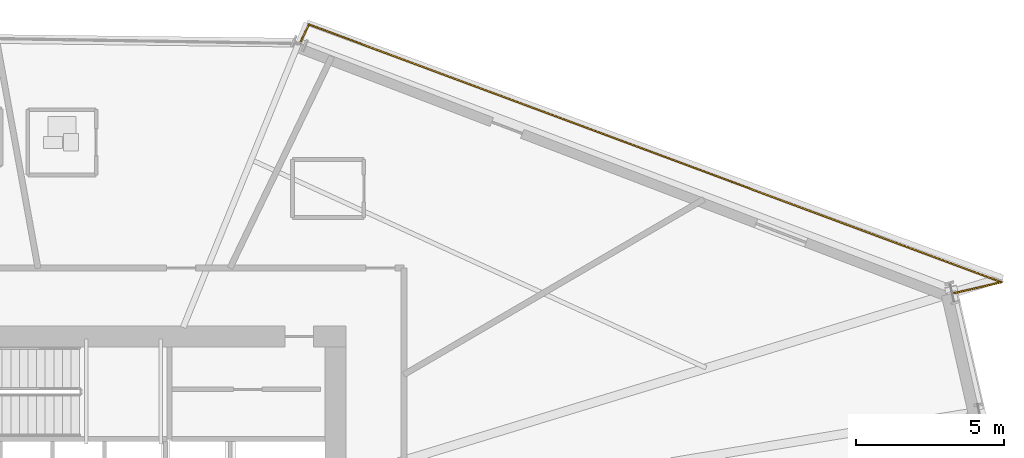
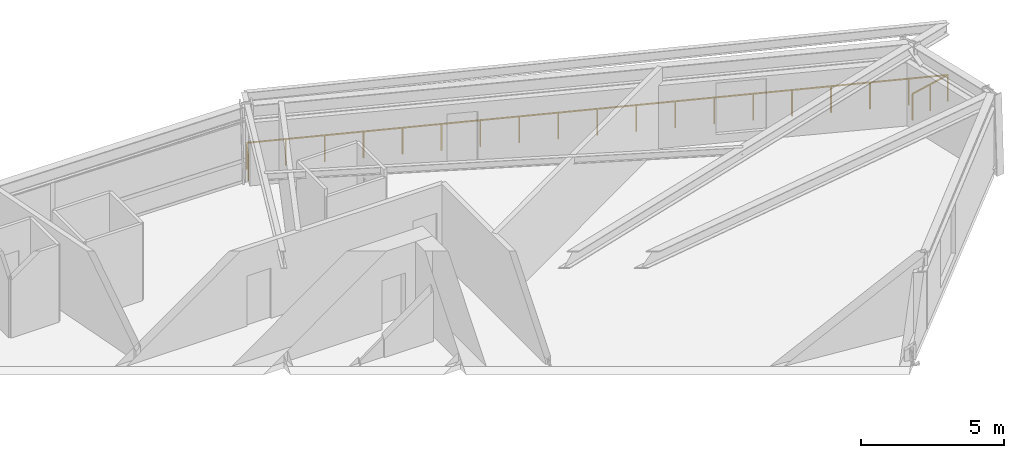
# One storey, part 21 of 22: 1 railing.
"""IFC4 building model written with IfcOpenShell, lengths in metres."""

from ifc_helpers import new_model, si_unit, direction, frame, origin, origin_2d, place, context, subcontext, project, spatial, rectangle, extrude, material, type_object, element, save


model = new_model("IFC4")

# Units and contexts
model_context = context("Model", 3, precision=1e-05, world=origin(), true_north=direction((0.0, 1.0)))
body_context = subcontext(model_context, "Body", "Model", "MODEL_VIEW")
ifc_project = project(units=[si_unit("LENGTHUNIT", "METRE"), si_unit("AREAUNIT", "SQUARE_METRE"), si_unit("VOLUMEUNIT", "CUBIC_METRE"), si_unit("PLANEANGLEUNIT", "RADIAN"), si_unit("MASSUNIT", "GRAM", prefix="KILO")], contexts=[model_context])

# Site, building, storey
site_placement = place(None, origin())
site = spatial("IfcSite", under=ifc_project, at=site_placement, CompositionType="ELEMENT")
building_placement = place(site_placement, origin())
building = spatial("IfcBuilding", under=site, at=building_placement, Name="Olszyna Solenne Hotel", CompositionType="ELEMENT")
storey_placement = place(building_placement, frame((0.0, 0.0, 87.949951171875)))
storey = spatial("IfcBuildingStorey", under=building, at=storey_placement, Name="L22", CompositionType="ELEMENT", Elevation=87.949951171875)

# Railing
ifc_material = material(Name="Anodised bronze aluminium", Category="aluminium")
railing_type = type_object("IfcRailingType", Name="GR-110", PredefinedType="BALUSTRADE", material=ifc_material)
railing_placement = place(storey_placement, frame((67.033203125, 35.498046875, 0.0)))
element("IfcRailing", 1, at=railing_placement, inside=storey, type_object=railing_type, Name="Loggia balcony balustrade guard GR-L22-LG1", PredefinedType="BALUSTRADE", context=body_context, shape_type="SweptSolid", body=[
    extrude(rectangle(XDim=0.048095703125, YDim=0.048095703125, at=origin_2d()), frame((0.0, 0.0, 1.1259765625), z_axis=(0.974301133994, 0.225249417975, 0.0), x_axis=(-0.225249417975, 0.974301133994, 0.0)), (0.0, 0.0, 1.0), 1.69189453125),
    extrude(rectangle(XDim=0.048095703125, YDim=0.048095703125, at=origin_2d()), frame((1.6484375, 0.381103515625, 1.1259765625), z_axis=(-0.937216856607, 0.348747134313, 0.0), x_axis=(-0.348747134313, -0.937216856607, 0.0)), (0.0, 0.0, 1.0), 24.89453125),
    extrude(rectangle(XDim=0.048095703125, YDim=0.048095703125, at=origin_2d()), frame((-21.68310546875, 9.06298828125, 1.1259765625), z_axis=(-0.426576165267, -0.904451643387, 0.0), x_axis=(0.904451643387, -0.426576165267, 0.0)), (0.0, 0.0, 1.0), 0.709228515625),
    extrude(rectangle(XDim=0.0419921875, YDim=0.0419921875, at=origin_2d()), origin(), (0.0, 0.0, 1.0), 1.101806640625),
    extrude(rectangle(XDim=0.0419921875, YDim=0.0419921875, at=origin_2d()), frame((0.82421875, 0.1904296875, 0.0)), (0.0, 0.0, 1.0), 1.101806640625),
    extrude(rectangle(XDim=0.0419921875, YDim=0.0419921875, at=origin_2d()), frame((1.6484375, 0.381103515625, 0.0)), (0.0, 0.0, 1.0), 1.101806640625),
    extrude(rectangle(XDim=0.0419921875, YDim=0.0419921875, at=origin_2d()), frame((0.352294921875, 0.863525390625, 0.0)), (0.0, 0.0, 1.0), 1.101806640625),
    extrude(rectangle(XDim=0.0419921875, YDim=0.0419921875, at=origin_2d()), frame((-0.94384765625, 1.345703125, 0.0)), (0.0, 0.0, 1.0), 1.101806640625),
    extrude(rectangle(XDim=0.0419921875, YDim=0.0419921875, at=origin_2d()), frame((-2.240234375, 1.828125, 0.0)), (0.0, 0.0, 1.0), 1.101806640625),
    extrude(rectangle(XDim=0.0419921875, YDim=0.0419921875, at=origin_2d()), frame((-3.536376953125, 2.310302734375, 0.0)), (0.0, 0.0, 1.0), 1.101806640625),
    extrude(rectangle(XDim=0.0419921875, YDim=0.0419921875, at=origin_2d()), frame((-4.83251953125, 2.792724609375, 0.0)), (0.0, 0.0, 1.0), 1.101806640625),
    extrude(rectangle(XDim=0.0419921875, YDim=0.0419921875, at=origin_2d()), frame((-6.128662109375, 3.275146484375, 0.0)), (0.0, 0.0, 1.0), 1.101806640625),
    extrude(rectangle(XDim=0.0419921875, YDim=0.0419921875, at=origin_2d()), frame((-7.425048828125, 3.75732421875, 0.0)), (0.0, 0.0, 1.0), 1.101806640625),
    extrude(rectangle(XDim=0.0419921875, YDim=0.0419921875, at=origin_2d()), frame((-8.72119140625, 4.23974609375, 0.0)), (0.0, 0.0, 1.0), 1.101806640625),
    extrude(rectangle(XDim=0.0419921875, YDim=0.0419921875, at=origin_2d()), frame((-10.017333984375, 4.72216796875, 0.0)), (0.0, 0.0, 1.0), 1.101806640625),
    extrude(rectangle(XDim=0.0419921875, YDim=0.0419921875, at=origin_2d()), frame((-11.3134765625, 5.204345703125, 0.0)), (0.0, 0.0, 1.0), 1.101806640625),
    extrude(rectangle(XDim=0.0419921875, YDim=0.0419921875, at=origin_2d()), frame((-12.609619140625, 5.686767578125, 0.0)), (0.0, 0.0, 1.0), 1.101806640625),
    extrude(rectangle(XDim=0.0419921875, YDim=0.0419921875, at=origin_2d()), frame((-13.906005859375, 6.1689453125, 0.0)), (0.0, 0.0, 1.0), 1.101806640625),
    extrude(rectangle(XDim=0.0419921875, YDim=0.0419921875, at=origin_2d()), frame((-15.2021484375, 6.6513671875, 0.0)), (0.0, 0.0, 1.0), 1.101806640625),
    extrude(rectangle(XDim=0.0419921875, YDim=0.0419921875, at=origin_2d()), frame((-16.498291015625, 7.1337890625, 0.0)), (0.0, 0.0, 1.0), 1.101806640625),
    extrude(rectangle(XDim=0.0419921875, YDim=0.0419921875, at=origin_2d()), frame((-17.79443359375, 7.615966796875, 0.0)), (0.0, 0.0, 1.0), 1.101806640625),
    extrude(rectangle(XDim=0.0419921875, YDim=0.0419921875, at=origin_2d()), frame((-19.0908203125, 8.098388671875, 0.0)), (0.0, 0.0, 1.0), 1.101806640625),
    extrude(rectangle(XDim=0.0419921875, YDim=0.0419921875, at=origin_2d()), frame((-20.386962890625, 8.58056640625, 0.0)), (0.0, 0.0, 1.0), 1.101806640625),
    extrude(rectangle(XDim=0.0419921875, YDim=0.0419921875, at=origin_2d()), frame((-21.68310546875, 9.06298828125, 0.0)), (0.0, 0.0, 1.0), 1.101806640625),
    extrude(rectangle(XDim=0.0419921875, YDim=0.0419921875, at=origin_2d()), frame((-21.985595703125, 8.421630859375, 0.0)), (0.0, 0.0, 1.0), 1.101806640625),
])

save(model, "model.ifc")
